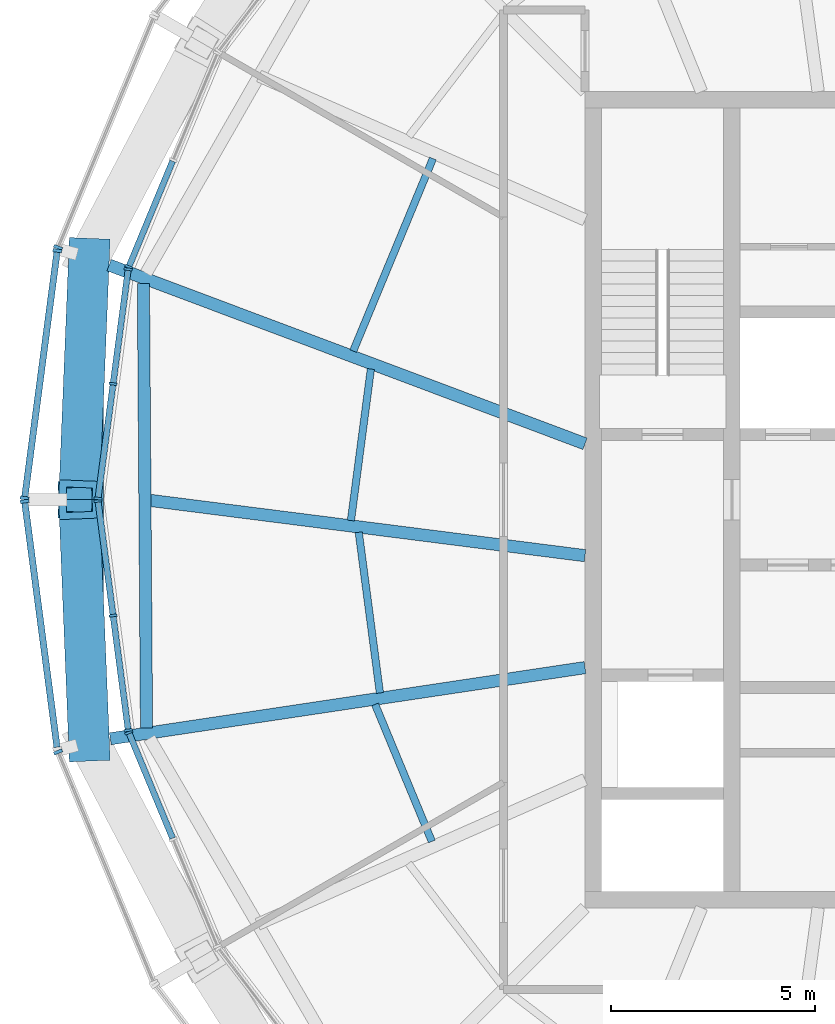
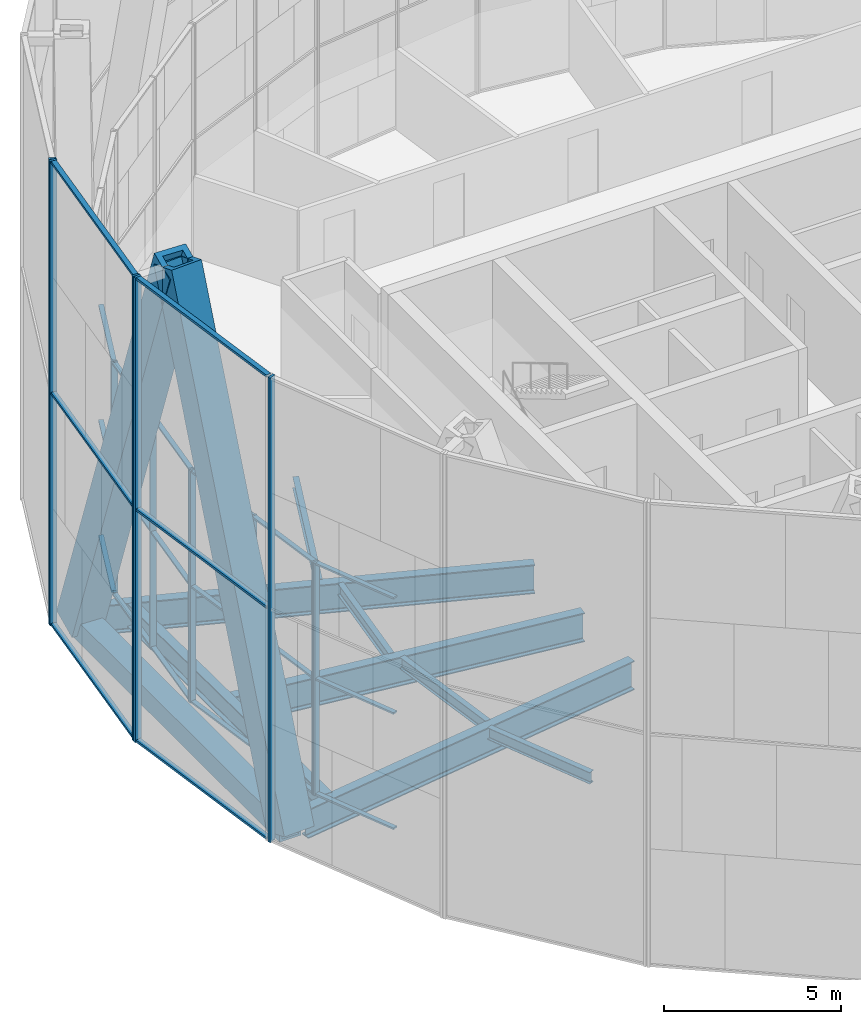
# One storey, part 3 of 22: 39 members, 9 beams, 8 elements without a shape of their own.
"""IFC4 building model written with IfcOpenShell, lengths in metres."""

from ifc_helpers import new_model, si_unit, direction, frame, origin, origin_2d, place, context, subcontext, project, spatial, rectangle, hollow_rectangle, i_section, extrude, material, material_profile, profile_set, type_object, element, aggregate, save


model = new_model("IFC4")

# Units and contexts
model_context = context("Model", 3, precision=1e-05, world=origin(), true_north=direction((0.0, 1.0)))
body_context = subcontext(model_context, "Body", "Model", "MODEL_VIEW")
ifc_project = project(units=[si_unit("LENGTHUNIT", "METRE"), si_unit("AREAUNIT", "SQUARE_METRE"), si_unit("VOLUMEUNIT", "CUBIC_METRE"), si_unit("PLANEANGLEUNIT", "RADIAN"), si_unit("MASSUNIT", "GRAM", prefix="KILO")], contexts=[model_context])

# Site, building, storey
site_placement = place(None, origin())
site = spatial("IfcSite", under=ifc_project, at=site_placement, CompositionType="ELEMENT")
building_placement = place(site_placement, origin())
building = spatial("IfcBuilding", under=site, at=building_placement, Name="Golbaran Civic Tower", CompositionType="ELEMENT")
storey_placement = place(building_placement, frame((0.0, 0.0, 264.0)))
storey = spatial("IfcBuildingStorey", under=building, at=storey_placement, Name="L64", CompositionType="ELEMENT", Elevation=264.0)

# Members
ifc_material_1 = material(Name="Steel S355", Category="steel")
ifc_material_profile_1 = material_profile(ifc_material_1, hollow_rectangle(XDim=1.0, YDim=1.0, WallThickness=0.179931640625, at=origin_2d()), Name="BOX 1000x1000x180")
ifc_profile_set_1 = profile_set([ifc_material_profile_1], Name="Steel S355")
member_type_1 = type_object("IfcMemberType", Name="DIAGRID DIAGONAL BOX 1000x1000x180", PredefinedType="BRACE", material=ifc_profile_set_1)
for number, where, z_axis, x_axis, name in (
    (1, (-22.156494140625, 5.936767578125, -0.7099609375), (-0.014261383079, -0.34783756503, 0.937446340495), (0.999160553133, -0.040965705945, 0.0), "Diagonal D15-05R L64-L68"),
    (2, (-22.156494140625, -5.936767578125, -0.7099609375), (-0.014261383079, 0.34783756503, 0.937446340495), (-0.999160553133, -0.040965705945, 0.0), "Diagonal D15-06L L64-L68"),
):
    element("IfcMember", number, at=place(storey_placement, frame(where, z_axis=z_axis, x_axis=x_axis)), inside=storey, type_object=member_type_1, Name=name, PredefinedType="BRACE", context=body_context, shape_type="SweptSolid", body=[
        extrude(hollow_rectangle(XDim=1.0, YDim=1.0, WallThickness=0.179931640625, at=origin_2d()), origin(), (0.0, 0.0, 1.0), 17.067626953125),
    ])

# Beams
ifc_material_profile_2 = material_profile(ifc_material_1, hollow_rectangle(XDim=0.699951171875, YDim=0.699951171875, WallThickness=0.080078125, at=origin_2d()), Name="BOX 700x700x80")
ifc_profile_set_2 = profile_set([ifc_material_profile_2], Name="Steel S355")
beam_type_1 = type_object("IfcBeamType", Name="DIAGRID RING TIE BOX 700x700x80", PredefinedType="BEAM", material=ifc_profile_set_2)
beam_1_placement = place(storey_placement, frame((-22.156494140625, 5.936767578125, -0.7099609375), z_axis=(0.0, -1.0, 0.0), x_axis=(1.0, 0.0, 0.0)))
element("IfcBeam", 3, at=beam_1_placement, inside=storey, type_object=beam_type_1, Name="Ring tie 165.00 L64", PredefinedType="BEAM", context=body_context, shape_type="SweptSolid", body=[
    extrude(hollow_rectangle(XDim=0.699951171875, YDim=0.699951171875, WallThickness=0.080078125, at=origin_2d()), origin(), (0.0, 0.0, 1.0), 11.87353515625),
])
ifc_material_profile_3 = material_profile(ifc_material_1, i_section(OverallWidth=0.300048828125, OverallDepth=0.800048828125, WebThickness=0.017578125, FlangeThickness=0.032958984375, FilletRadius=0.030029296875, at=origin_2d()), Name="HEB 800")
ifc_profile_set_3 = profile_set([ifc_material_profile_3], Name="Steel S355")
beam_type_2 = type_object("IfcBeamType", Name="EDGE BEAM HEB 800", PredefinedType="BEAM", material=ifc_profile_set_3)
beam_2_placement = place(storey_placement, frame((-20.822509765625, 5.296875, -0.60009765625), z_axis=(0.006971517906, -0.999975698674, 0.0), x_axis=(0.999975698674, 0.006971517906, 0.0)))
element("IfcBeam", 4, at=beam_2_placement, inside=storey, type_object=beam_type_2, Name="Edge beam 165.00 L64", PredefinedType="BEAM", context=body_context, shape_type="SweptSolid", body=[
    extrude(i_section(OverallWidth=0.300048828125, OverallDepth=0.800048828125, WebThickness=0.017578125, FlangeThickness=0.032958984375, FilletRadius=0.030029296875, at=origin_2d()), origin(), (0.0, 0.0, 1.0), 10.89111328125),
])
ifc_material_profile_4 = material_profile(ifc_material_1, i_section(OverallWidth=0.179931640625, OverallDepth=0.39990234375, WebThickness=0.008544921875, FlangeThickness=0.013427734375, FilletRadius=0.02099609375, at=origin_2d()), Name="IPE 400")
ifc_profile_set_4 = profile_set([ifc_material_profile_4], Name="Steel S355")
beam_type_3 = type_object("IfcBeamType", Name="FLOOR INFILL BEAM IPE 400", PredefinedType="BEAM", material=ifc_profile_set_4)
beam_3_placement = place(storey_placement, frame((-13.727294921875, 8.361328125, -0.39990234375), z_axis=(-0.382706513468, -0.923869971668, 0.0), x_axis=(0.923869971668, -0.382706513468, 0.0)))
element("IfcBeam", 5, at=beam_3_placement, inside=storey, type_object=beam_type_3, Name="Infill beam 157.50 L64", PredefinedType="BEAM", context=body_context, shape_type="SweptSolid", body=[
    extrude(i_section(OverallWidth=0.179931640625, OverallDepth=0.39990234375, WebThickness=0.008544921875, FlangeThickness=0.013427734375, FilletRadius=0.02099609375, at=origin_2d()), origin(), (0.0, 0.0, 1.0), 5.10595703125),
])
beam_4_placement = place(storey_placement, frame((-15.24755859375, 3.203369140625, -0.39990234375), z_axis=(-0.130528684121, -0.991444533306, 0.0), x_axis=(0.991444533306, -0.130528684121, 0.0)))
element("IfcBeam", 6, at=beam_4_placement, inside=storey, type_object=beam_type_3, Name="Infill beam 172.50 L64", PredefinedType="BEAM", context=body_context, shape_type="SweptSolid", body=[
    extrude(i_section(OverallWidth=0.179931640625, OverallDepth=0.39990234375, WebThickness=0.008544921875, FlangeThickness=0.013427734375, FilletRadius=0.02099609375, at=origin_2d()), origin(), (0.0, 0.0, 1.0), 3.746337890625),
])
beam_5_placement = place(storey_placement, frame((-15.544921875, -0.79736328125, -0.39990234375), z_axis=(0.13052127559, -0.991445508648, 0.0), x_axis=(0.991445508648, 0.13052127559, 0.0)))
element("IfcBeam", 7, at=beam_5_placement, inside=storey, type_object=beam_type_3, Name="Infill beam 187.50 L64", PredefinedType="BEAM", context=body_context, shape_type="SweptSolid", body=[
    extrude(i_section(OverallWidth=0.179931640625, OverallDepth=0.39990234375, WebThickness=0.008544921875, FlangeThickness=0.013427734375, FilletRadius=0.02099609375, at=origin_2d()), origin(), (0.0, 0.0, 1.0), 3.972900390625),
])
beam_6_placement = place(storey_placement, frame((-15.144287109375, -5.016845703125, -0.39990234375), z_axis=(0.38271166419, -0.923867838001, 0.0), x_axis=(0.923867838001, 0.38271166419, 0.0)))
element("IfcBeam", 8, at=beam_6_placement, inside=storey, type_object=beam_type_3, Name="Infill beam 202.50 L64", PredefinedType="BEAM", context=body_context, shape_type="SweptSolid", body=[
    extrude(i_section(OverallWidth=0.179931640625, OverallDepth=0.39990234375, WebThickness=0.008544921875, FlangeThickness=0.013427734375, FilletRadius=0.02099609375, at=origin_2d()), origin(), (0.0, 0.0, 1.0), 3.634765625),
])

# Curtain wall, member
ifc_material_2 = material(Name="Aluminium and glass", Category="aluminium")
curtain_wall_type_1 = type_object("IfcCurtainWallType", Name="INNER SKIN CURTAIN WALL EXECUTIVE", PredefinedType="NOTDEFINED", material=ifc_material_2)
curtain_wall_1_placement = place(storey_placement, origin())
curtain_wall_1 = element("IfcCurtainWall", 9, at=curtain_wall_1_placement, inside=storey, type_object=curtain_wall_type_1, Name="Inner skin L64 facet 11 CW2", ObjectType="INNER SKIN", PredefinedType="USERDEFINED")
ifc_material_3 = material(Name="Aluminium", Category="aluminium")
ifc_material_profile_5 = material_profile(ifc_material_3, rectangle(XDim=0.199951171875, YDim=0.06005859375, at=origin_2d()), Name="INNER SKIN CURTAIN WALL EXECUTIVE MULLION")
ifc_profile_set_5 = profile_set([ifc_material_profile_5], Name="Aluminium")
member_type_2 = type_object("IfcMemberType", Name="INNER SKIN CURTAIN WALL EXECUTIVE MULLION", PredefinedType="MULLION", material=ifc_profile_set_5)
member_1_placement = place(storey_placement, frame((-21.179931640625, 5.7060546875, 0.0), z_axis=(0.0, 0.0, 1.0), x_axis=(0.923879532518, -0.382683432349, 0.0)))
member_1 = element("IfcMember", 10, at=member_1_placement, type_object=member_type_2, Name="CW2 mullion 3", PredefinedType="MULLION", context=body_context, shape_type="SweptSolid", body=[
    extrude(rectangle(XDim=0.199951171875, YDim=0.06005859375, at=origin_2d()), origin(), (0.0, 0.0, 1.0), 8.0),
])

# Curtain wall, members
curtain_wall_2_placement = place(storey_placement, origin())
curtain_wall_2 = element("IfcCurtainWall", 11, at=curtain_wall_2_placement, inside=storey, type_object=curtain_wall_type_1, Name="Inner skin L64 facet 12 CW2", ObjectType="INNER SKIN", PredefinedType="USERDEFINED")
member_2_placement = place(storey_placement, frame((-21.1953125, 5.6484375, 0.0), z_axis=(0.0, 0.0, 1.0), x_axis=(0.991444861376, -0.130526192203, 0.0)))
member_2 = element("IfcMember", 12, at=member_2_placement, type_object=member_type_2, Name="CW2 mullion 1", PredefinedType="MULLION", context=body_context, shape_type="SweptSolid", body=[
    extrude(rectangle(XDim=0.199951171875, YDim=0.06005859375, at=origin_2d()), origin(), (0.0, 0.0, 1.0), 8.0),
])
member_3_placement = place(storey_placement, frame((-21.565185546875, 2.839111328125, 0.0), z_axis=(0.0, 0.0, 1.0), x_axis=(0.991444861376, -0.130526192203, 0.0)))
member_3 = element("IfcMember", 13, at=member_3_placement, type_object=member_type_2, Name="CW2 mullion 2", PredefinedType="MULLION", context=body_context, shape_type="SweptSolid", body=[
    extrude(rectangle(XDim=0.199951171875, YDim=0.06005859375, at=origin_2d()), origin(), (0.0, 0.0, 1.0), 8.0),
])
member_4_placement = place(storey_placement, frame((-21.93505859375, 0.02978515625, 0.0), z_axis=(0.0, 0.0, 1.0), x_axis=(0.991444861376, -0.130526192203, 0.0)))
member_4 = element("IfcMember", 14, at=member_4_placement, type_object=member_type_2, Name="CW2 mullion 3", PredefinedType="MULLION", context=body_context, shape_type="SweptSolid", body=[
    extrude(rectangle(XDim=0.199951171875, YDim=0.06005859375, at=origin_2d()), origin(), (0.0, 0.0, 1.0), 8.0),
])

curtain_wall_3_placement = place(storey_placement, origin())
curtain_wall_3 = element("IfcCurtainWall", 15, at=curtain_wall_3_placement, inside=storey, type_object=curtain_wall_type_1, Name="Inner skin L64 facet 13 CW2", ObjectType="INNER SKIN", PredefinedType="USERDEFINED")
member_5_placement = place(storey_placement, frame((-21.93505859375, -0.02978515625, 0.0), z_axis=(0.0, 0.0, 1.0), x_axis=(0.991444861376, 0.130526192203, 0.0)))
member_5 = element("IfcMember", 16, at=member_5_placement, type_object=member_type_2, Name="CW2 mullion 1", PredefinedType="MULLION", context=body_context, shape_type="SweptSolid", body=[
    extrude(rectangle(XDim=0.199951171875, YDim=0.06005859375, at=origin_2d()), origin(), (0.0, 0.0, 1.0), 8.0),
])
member_6_placement = place(storey_placement, frame((-21.565185546875, -2.839111328125, 0.0), z_axis=(0.0, 0.0, 1.0), x_axis=(0.991444861376, 0.130526192203, 0.0)))
member_6 = element("IfcMember", 17, at=member_6_placement, type_object=member_type_2, Name="CW2 mullion 2", PredefinedType="MULLION", context=body_context, shape_type="SweptSolid", body=[
    extrude(rectangle(XDim=0.199951171875, YDim=0.06005859375, at=origin_2d()), origin(), (0.0, 0.0, 1.0), 8.0),
])
member_7_placement = place(storey_placement, frame((-21.1953125, -5.6484375, 0.0), z_axis=(0.0, 0.0, 1.0), x_axis=(0.991444861376, 0.130526192203, 0.0)))
member_7 = element("IfcMember", 18, at=member_7_placement, type_object=member_type_2, Name="CW2 mullion 3", PredefinedType="MULLION", context=body_context, shape_type="SweptSolid", body=[
    extrude(rectangle(XDim=0.199951171875, YDim=0.06005859375, at=origin_2d()), origin(), (0.0, 0.0, 1.0), 8.0),
])

# Curtain wall, member
curtain_wall_4_placement = place(storey_placement, origin())
curtain_wall_4 = element("IfcCurtainWall", 19, at=curtain_wall_4_placement, inside=storey, type_object=curtain_wall_type_1, Name="Inner skin L64 facet 14 CW2", ObjectType="INNER SKIN", PredefinedType="USERDEFINED")
member_8_placement = place(storey_placement, frame((-21.179931640625, -5.7060546875, 0.0), z_axis=(0.0, 0.0, 1.0), x_axis=(0.923879532518, 0.382683432349, 0.0)))
member_8 = element("IfcMember", 20, at=member_8_placement, type_object=member_type_2, Name="CW2 mullion 1", PredefinedType="MULLION", context=body_context, shape_type="SweptSolid", body=[
    extrude(rectangle(XDim=0.199951171875, YDim=0.06005859375, at=origin_2d()), origin(), (0.0, 0.0, 1.0), 8.0),
])

# Member
ifc_material_profile_6 = material_profile(ifc_material_3, rectangle(XDim=0.14990234375, YDim=0.06005859375, at=origin_2d()), Name="INNER SKIN CURTAIN WALL EXECUTIVE TRANSOM")
ifc_profile_set_6 = profile_set([ifc_material_profile_6], Name="Aluminium")
member_type_3 = type_object("IfcMemberType", Name="INNER SKIN CURTAIN WALL EXECUTIVE TRANSOM", PredefinedType="USERDEFINED", material=ifc_profile_set_6)
member_9_placement = place(storey_placement, frame((-20.107177734375, 8.296142578125, 0.030029296875), z_axis=(-0.382639437748, -0.923897754451, 0.0), x_axis=(0.923897754451, -0.382639437748, 0.0)))
member_9 = element("IfcMember", 21, at=member_9_placement, type_object=member_type_3, Name="CW2 transom 2.1", ObjectType="TRANSOM", PredefinedType="USERDEFINED", context=body_context, shape_type="SweptSolid", body=[
    extrude(rectangle(XDim=0.14990234375, YDim=0.06005859375, at=origin_2d()), origin(), (0.0, 0.0, 1.0), 2.773681640625),
])

member_10_placement = place(storey_placement, frame((-20.107177734375, 8.296142578125, 4.0), z_axis=(-0.382639437748, -0.923897754451, 0.0), x_axis=(0.923897754451, -0.382639437748, 0.0)))
member_10 = element("IfcMember", 22, at=member_10_placement, type_object=member_type_3, Name="CW2 transom 2.2", ObjectType="TRANSOM", PredefinedType="USERDEFINED", context=body_context, shape_type="SweptSolid", body=[
    extrude(rectangle(XDim=0.14990234375, YDim=0.06005859375, at=origin_2d()), origin(), (0.0, 0.0, 1.0), 2.773681640625),
])

member_11_placement = place(storey_placement, frame((-20.107177734375, 8.296142578125, 7.969970703125), z_axis=(-0.382639437748, -0.923897754451, 0.0), x_axis=(0.923897754451, -0.382639437748, 0.0)))
member_11 = element("IfcMember", 23, at=member_11_placement, type_object=member_type_3, Name="CW2 transom 2.3", ObjectType="TRANSOM", PredefinedType="USERDEFINED", context=body_context, shape_type="SweptSolid", body=[
    extrude(rectangle(XDim=0.14990234375, YDim=0.06005859375, at=origin_2d()), origin(), (0.0, 0.0, 1.0), 2.773681640625),
])

aggregate(curtain_wall_1, [member_1, member_9, member_10, member_11])

member_12_placement = place(storey_placement, frame((-21.19921875, 5.61865234375, 0.030029296875), z_axis=(-0.130543317556, -0.99144260663, 0.0), x_axis=(0.99144260663, -0.130543317556, 0.0)))
member_12 = element("IfcMember", 24, at=member_12_placement, type_object=member_type_3, Name="CW2 transom 1.1", ObjectType="TRANSOM", PredefinedType="USERDEFINED", context=body_context, shape_type="SweptSolid", body=[
    extrude(rectangle(XDim=0.14990234375, YDim=0.06005859375, at=origin_2d()), origin(), (0.0, 0.0, 1.0), 2.7734375),
])

member_13_placement = place(storey_placement, frame((-21.19921875, 5.61865234375, 4.0), z_axis=(-0.130543317556, -0.99144260663, 0.0), x_axis=(0.99144260663, -0.130543317556, 0.0)))
member_13 = element("IfcMember", 25, at=member_13_placement, type_object=member_type_3, Name="CW2 transom 1.2", ObjectType="TRANSOM", PredefinedType="USERDEFINED", context=body_context, shape_type="SweptSolid", body=[
    extrude(rectangle(XDim=0.14990234375, YDim=0.06005859375, at=origin_2d()), origin(), (0.0, 0.0, 1.0), 2.7734375),
])

member_14_placement = place(storey_placement, frame((-21.19921875, 5.61865234375, 7.969970703125), z_axis=(-0.130543317556, -0.99144260663, 0.0), x_axis=(0.99144260663, -0.130543317556, 0.0)))
member_14 = element("IfcMember", 26, at=member_14_placement, type_object=member_type_3, Name="CW2 transom 1.3", ObjectType="TRANSOM", PredefinedType="USERDEFINED", context=body_context, shape_type="SweptSolid", body=[
    extrude(rectangle(XDim=0.14990234375, YDim=0.06005859375, at=origin_2d()), origin(), (0.0, 0.0, 1.0), 2.7734375),
])

member_15_placement = place(storey_placement, frame((-21.569091796875, 2.809326171875, 0.030029296875), z_axis=(-0.130543317556, -0.99144260663, 0.0), x_axis=(0.99144260663, -0.130543317556, 0.0)))
member_15 = element("IfcMember", 27, at=member_15_placement, type_object=member_type_3, Name="CW2 transom 2.1", ObjectType="TRANSOM", PredefinedType="USERDEFINED", context=body_context, shape_type="SweptSolid", body=[
    extrude(rectangle(XDim=0.14990234375, YDim=0.06005859375, at=origin_2d()), origin(), (0.0, 0.0, 1.0), 2.7734375),
])

member_16_placement = place(storey_placement, frame((-21.569091796875, 2.809326171875, 4.0), z_axis=(-0.130543317556, -0.99144260663, 0.0), x_axis=(0.99144260663, -0.130543317556, 0.0)))
member_16 = element("IfcMember", 28, at=member_16_placement, type_object=member_type_3, Name="CW2 transom 2.2", ObjectType="TRANSOM", PredefinedType="USERDEFINED", context=body_context, shape_type="SweptSolid", body=[
    extrude(rectangle(XDim=0.14990234375, YDim=0.06005859375, at=origin_2d()), origin(), (0.0, 0.0, 1.0), 2.7734375),
])

member_17_placement = place(storey_placement, frame((-21.569091796875, 2.809326171875, 7.969970703125), z_axis=(-0.130543317556, -0.99144260663, 0.0), x_axis=(0.99144260663, -0.130543317556, 0.0)))
member_17 = element("IfcMember", 29, at=member_17_placement, type_object=member_type_3, Name="CW2 transom 2.3", ObjectType="TRANSOM", PredefinedType="USERDEFINED", context=body_context, shape_type="SweptSolid", body=[
    extrude(rectangle(XDim=0.14990234375, YDim=0.06005859375, at=origin_2d()), origin(), (0.0, 0.0, 1.0), 2.7734375),
])

aggregate(curtain_wall_2, [member_2, member_3, member_4, member_12, member_13, member_14, member_15, member_16, member_17])

member_18_placement = place(storey_placement, frame((-21.93115234375, -0.0595703125, 0.030029296875), z_axis=(0.130543317556, -0.99144260663, 0.0), x_axis=(0.99144260663, 0.130543317556, 0.0)))
member_18 = element("IfcMember", 30, at=member_18_placement, type_object=member_type_3, Name="CW2 transom 1.1", ObjectType="TRANSOM", PredefinedType="USERDEFINED", context=body_context, shape_type="SweptSolid", body=[
    extrude(rectangle(XDim=0.14990234375, YDim=0.06005859375, at=origin_2d()), origin(), (0.0, 0.0, 1.0), 2.7734375),
])

member_19_placement = place(storey_placement, frame((-21.93115234375, -0.0595703125, 4.0), z_axis=(0.130543317556, -0.99144260663, 0.0), x_axis=(0.99144260663, 0.130543317556, 0.0)))
member_19 = element("IfcMember", 31, at=member_19_placement, type_object=member_type_3, Name="CW2 transom 1.2", ObjectType="TRANSOM", PredefinedType="USERDEFINED", context=body_context, shape_type="SweptSolid", body=[
    extrude(rectangle(XDim=0.14990234375, YDim=0.06005859375, at=origin_2d()), origin(), (0.0, 0.0, 1.0), 2.7734375),
])

member_20_placement = place(storey_placement, frame((-21.93115234375, -0.0595703125, 7.969970703125), z_axis=(0.130543317556, -0.99144260663, 0.0), x_axis=(0.99144260663, 0.130543317556, 0.0)))
member_20 = element("IfcMember", 32, at=member_20_placement, type_object=member_type_3, Name="CW2 transom 1.3", ObjectType="TRANSOM", PredefinedType="USERDEFINED", context=body_context, shape_type="SweptSolid", body=[
    extrude(rectangle(XDim=0.14990234375, YDim=0.06005859375, at=origin_2d()), origin(), (0.0, 0.0, 1.0), 2.7734375),
])

member_21_placement = place(storey_placement, frame((-21.561279296875, -2.868896484375, 0.030029296875), z_axis=(0.130543317556, -0.99144260663, 0.0), x_axis=(0.99144260663, 0.130543317556, 0.0)))
member_21 = element("IfcMember", 33, at=member_21_placement, type_object=member_type_3, Name="CW2 transom 2.1", ObjectType="TRANSOM", PredefinedType="USERDEFINED", context=body_context, shape_type="SweptSolid", body=[
    extrude(rectangle(XDim=0.14990234375, YDim=0.06005859375, at=origin_2d()), origin(), (0.0, 0.0, 1.0), 2.7734375),
])

member_22_placement = place(storey_placement, frame((-21.561279296875, -2.868896484375, 4.0), z_axis=(0.130543317556, -0.99144260663, 0.0), x_axis=(0.99144260663, 0.130543317556, 0.0)))
member_22 = element("IfcMember", 34, at=member_22_placement, type_object=member_type_3, Name="CW2 transom 2.2", ObjectType="TRANSOM", PredefinedType="USERDEFINED", context=body_context, shape_type="SweptSolid", body=[
    extrude(rectangle(XDim=0.14990234375, YDim=0.06005859375, at=origin_2d()), origin(), (0.0, 0.0, 1.0), 2.7734375),
])

member_23_placement = place(storey_placement, frame((-21.561279296875, -2.868896484375, 7.969970703125), z_axis=(0.130543317556, -0.99144260663, 0.0), x_axis=(0.99144260663, 0.130543317556, 0.0)))
member_23 = element("IfcMember", 35, at=member_23_placement, type_object=member_type_3, Name="CW2 transom 2.3", ObjectType="TRANSOM", PredefinedType="USERDEFINED", context=body_context, shape_type="SweptSolid", body=[
    extrude(rectangle(XDim=0.14990234375, YDim=0.06005859375, at=origin_2d()), origin(), (0.0, 0.0, 1.0), 2.7734375),
])

aggregate(curtain_wall_3, [member_5, member_6, member_7, member_18, member_19, member_20, member_21, member_22, member_23])

member_24_placement = place(storey_placement, frame((-21.16845703125, -5.733642578125, 0.030029296875), z_axis=(0.382639437748, -0.923897754451, 0.0), x_axis=(0.923897754451, 0.382639437748, 0.0)))
member_24 = element("IfcMember", 36, at=member_24_placement, type_object=member_type_3, Name="CW2 transom 1.1", ObjectType="TRANSOM", PredefinedType="USERDEFINED", context=body_context, shape_type="SweptSolid", body=[
    extrude(rectangle(XDim=0.14990234375, YDim=0.06005859375, at=origin_2d()), origin(), (0.0, 0.0, 1.0), 2.773681640625),
])

member_25_placement = place(storey_placement, frame((-21.16845703125, -5.733642578125, 4.0), z_axis=(0.382639437748, -0.923897754451, 0.0), x_axis=(0.923897754451, 0.382639437748, 0.0)))
member_25 = element("IfcMember", 37, at=member_25_placement, type_object=member_type_3, Name="CW2 transom 1.2", ObjectType="TRANSOM", PredefinedType="USERDEFINED", context=body_context, shape_type="SweptSolid", body=[
    extrude(rectangle(XDim=0.14990234375, YDim=0.06005859375, at=origin_2d()), origin(), (0.0, 0.0, 1.0), 2.773681640625),
])

member_26_placement = place(storey_placement, frame((-21.16845703125, -5.733642578125, 7.969970703125), z_axis=(0.382639437748, -0.923897754451, 0.0), x_axis=(0.923897754451, 0.382639437748, 0.0)))
member_26 = element("IfcMember", 38, at=member_26_placement, type_object=member_type_3, Name="CW2 transom 1.3", ObjectType="TRANSOM", PredefinedType="USERDEFINED", context=body_context, shape_type="SweptSolid", body=[
    extrude(rectangle(XDim=0.14990234375, YDim=0.06005859375, at=origin_2d()), origin(), (0.0, 0.0, 1.0), 2.773681640625),
])

aggregate(curtain_wall_4, [member_8, member_24, member_25, member_26])

# Curtain wall, member
curtain_wall_type_2 = type_object("IfcCurtainWallType", Name="OUTER SKIN TERRACOTTA SCREEN", PredefinedType="NOTDEFINED", material=ifc_material_2)
curtain_wall_5_placement = place(storey_placement, origin())
curtain_wall_5 = element("IfcCurtainWall", 39, at=curtain_wall_5_placement, inside=storey, type_object=curtain_wall_type_2, Name="Outer skin L64 facet 11 CW3", ObjectType="OUTER SKIN", PredefinedType="USERDEFINED")
ifc_material_profile_7 = material_profile(ifc_material_3, rectangle(XDim=0.219970703125, YDim=0.080078125, at=origin_2d()), Name="OUTER SKIN TERRACOTTA SCREEN MULLION")
ifc_profile_set_7 = profile_set([ifc_material_profile_7], Name="Aluminium")
member_type_4 = type_object("IfcMemberType", Name="OUTER SKIN TERRACOTTA SCREEN MULLION", PredefinedType="MULLION", material=ifc_profile_set_7)
member_27_placement = place(storey_placement, frame((-22.913818359375, 6.180908203125, -0.7099609375), z_axis=(0.0, 0.0, 1.0), x_axis=(0.923879532525, -0.382683432333, 0.0)))
member_27 = element("IfcMember", 40, at=member_27_placement, type_object=member_type_4, Name="CW3 mullion 2", PredefinedType="MULLION", context=body_context, shape_type="SweptSolid", body=[
    extrude(rectangle(XDim=0.219970703125, YDim=0.080078125, at=origin_2d()), origin(), (0.0, 0.0, 1.0), 16.0),
])
aggregate(curtain_wall_5, [member_27])

# Curtain wall, members
curtain_wall_6_placement = place(storey_placement, origin())
curtain_wall_6 = element("IfcCurtainWall", 41, at=curtain_wall_6_placement, inside=storey, type_object=curtain_wall_type_2, Name="Outer skin L64 facet 12 CW3", ObjectType="OUTER SKIN", PredefinedType="USERDEFINED")
member_28_placement = place(storey_placement, frame((-22.934326171875, 6.104248046875, -0.7099609375), z_axis=(0.0, 0.0, 1.0), x_axis=(0.991444861365, -0.130526192289, 0.0)))
member_28 = element("IfcMember", 42, at=member_28_placement, type_object=member_type_4, Name="CW3 mullion 1", PredefinedType="MULLION", context=body_context, shape_type="SweptSolid", body=[
    extrude(rectangle(XDim=0.219970703125, YDim=0.080078125, at=origin_2d()), origin(), (0.0, 0.0, 1.0), 16.0),
])
member_29_placement = place(storey_placement, frame((-23.732666015625, 0.03955078125, -0.7099609375), z_axis=(0.0, 0.0, 1.0), x_axis=(0.991444861365, -0.130526192289, 0.0)))
member_29 = element("IfcMember", 43, at=member_29_placement, type_object=member_type_4, Name="CW3 mullion 2", PredefinedType="MULLION", context=body_context, shape_type="SweptSolid", body=[
    extrude(rectangle(XDim=0.219970703125, YDim=0.080078125, at=origin_2d()), origin(), (0.0, 0.0, 1.0), 16.0),
])

# Curtain wall, member
curtain_wall_7_placement = place(storey_placement, origin())
curtain_wall_7 = element("IfcCurtainWall", 44, at=curtain_wall_7_placement, inside=storey, type_object=curtain_wall_type_2, Name="Outer skin L64 facet 13 CW3", ObjectType="OUTER SKIN", PredefinedType="USERDEFINED")
member_30_placement = place(storey_placement, frame((-23.732666015625, -0.03955078125, -0.7099609375), z_axis=(0.0, 0.0, 1.0), x_axis=(0.991444861365, 0.130526192289, 0.0)))
member_30 = element("IfcMember", 45, at=member_30_placement, type_object=member_type_4, Name="CW3 mullion 1", PredefinedType="MULLION", context=body_context, shape_type="SweptSolid", body=[
    extrude(rectangle(XDim=0.219970703125, YDim=0.080078125, at=origin_2d()), origin(), (0.0, 0.0, 1.0), 16.0),
])

curtain_wall_8_placement = place(storey_placement, origin())
curtain_wall_8 = element("IfcCurtainWall", 46, at=curtain_wall_8_placement, inside=storey, type_object=curtain_wall_type_2, Name="Outer skin L64 facet 14 CW3", ObjectType="OUTER SKIN", PredefinedType="USERDEFINED")
member_31_placement = place(storey_placement, frame((-22.913818359375, -6.180908203125, -0.7099609375), z_axis=(0.0, 0.0, 1.0), x_axis=(0.923879532525, 0.382683432333, 0.0)))
member_31 = element("IfcMember", 47, at=member_31_placement, type_object=member_type_4, Name="CW3 mullion 1", PredefinedType="MULLION", context=body_context, shape_type="SweptSolid", body=[
    extrude(rectangle(XDim=0.219970703125, YDim=0.080078125, at=origin_2d()), origin(), (0.0, 0.0, 1.0), 16.0),
])
aggregate(curtain_wall_8, [member_31])

# Member
ifc_material_profile_8 = material_profile(ifc_material_3, rectangle(XDim=0.159912109375, YDim=0.080078125, at=origin_2d()), Name="OUTER SKIN TERRACOTTA SCREEN TRANSOM")
ifc_profile_set_8 = profile_set([ifc_material_profile_8], Name="Aluminium")
member_type_5 = type_object("IfcMemberType", Name="OUTER SKIN TERRACOTTA SCREEN TRANSOM", PredefinedType="USERDEFINED", material=ifc_profile_set_8)
member_32_placement = place(storey_placement, frame((-22.939697265625, 6.064453125, -0.669921875), z_axis=(-0.130507866716, -0.9914472738, 0.0), x_axis=(0.9914472738, -0.130507866716, 0.0)))
member_32 = element("IfcMember", 48, at=member_32_placement, type_object=member_type_5, Name="CW3 transom 1.1", ObjectType="TRANSOM", PredefinedType="USERDEFINED", context=body_context, shape_type="SweptSolid", body=[
    extrude(rectangle(XDim=0.159912109375, YDim=0.080078125, at=origin_2d()), origin(), (0.0, 0.0, 1.0), 6.03662109375),
])

member_33_placement = place(storey_placement, frame((-22.939697265625, 6.064453125, 7.2900390625), z_axis=(-0.130507866716, -0.9914472738, 0.0), x_axis=(0.9914472738, -0.130507866716, 0.0)))
member_33 = element("IfcMember", 49, at=member_33_placement, type_object=member_type_5, Name="CW3 transom 1.2", ObjectType="TRANSOM", PredefinedType="USERDEFINED", context=body_context, shape_type="SweptSolid", body=[
    extrude(rectangle(XDim=0.159912109375, YDim=0.080078125, at=origin_2d()), origin(), (0.0, 0.0, 1.0), 6.03662109375),
])

member_34_placement = place(storey_placement, frame((-22.939697265625, 6.064453125, 15.25), z_axis=(-0.130507866716, -0.9914472738, 0.0), x_axis=(0.9914472738, -0.130507866716, 0.0)))
member_34 = element("IfcMember", 50, at=member_34_placement, type_object=member_type_5, Name="CW3 transom 1.3", ObjectType="TRANSOM", PredefinedType="USERDEFINED", context=body_context, shape_type="SweptSolid", body=[
    extrude(rectangle(XDim=0.159912109375, YDim=0.080078125, at=origin_2d()), origin(), (0.0, 0.0, 1.0), 6.03662109375),
])

aggregate(curtain_wall_6, [member_28, member_29, member_32, member_33, member_34])

member_35_placement = place(storey_placement, frame((-23.7275390625, -0.079345703125, -0.669921875), z_axis=(0.130507866716, -0.9914472738, 0.0), x_axis=(0.9914472738, 0.130507866716, 0.0)))
member_35 = element("IfcMember", 51, at=member_35_placement, type_object=member_type_5, Name="CW3 transom 1.1", ObjectType="TRANSOM", PredefinedType="USERDEFINED", context=body_context, shape_type="SweptSolid", body=[
    extrude(rectangle(XDim=0.159912109375, YDim=0.080078125, at=origin_2d()), origin(), (0.0, 0.0, 1.0), 6.03662109375),
])

member_36_placement = place(storey_placement, frame((-23.7275390625, -0.079345703125, 7.2900390625), z_axis=(0.130507866716, -0.9914472738, 0.0), x_axis=(0.9914472738, 0.130507866716, 0.0)))
member_36 = element("IfcMember", 52, at=member_36_placement, type_object=member_type_5, Name="CW3 transom 1.2", ObjectType="TRANSOM", PredefinedType="USERDEFINED", context=body_context, shape_type="SweptSolid", body=[
    extrude(rectangle(XDim=0.159912109375, YDim=0.080078125, at=origin_2d()), origin(), (0.0, 0.0, 1.0), 6.03662109375),
])

member_37_placement = place(storey_placement, frame((-23.7275390625, -0.079345703125, 15.25), z_axis=(0.130507866716, -0.9914472738, 0.0), x_axis=(0.9914472738, 0.130507866716, 0.0)))
member_37 = element("IfcMember", 53, at=member_37_placement, type_object=member_type_5, Name="CW3 transom 1.3", ObjectType="TRANSOM", PredefinedType="USERDEFINED", context=body_context, shape_type="SweptSolid", body=[
    extrude(rectangle(XDim=0.159912109375, YDim=0.080078125, at=origin_2d()), origin(), (0.0, 0.0, 1.0), 6.03662109375),
])

aggregate(curtain_wall_7, [member_30, member_35, member_36, member_37])

# Beams
ifc_material_profile_9 = material_profile(ifc_material_1, i_section(OverallWidth=0.300048828125, OverallDepth=1.0, WebThickness=0.01904296875, FlangeThickness=0.035888671875, FilletRadius=0.030029296875, at=origin_2d()), Name="HEB 1000")
ifc_profile_set_9 = profile_set([ifc_material_profile_9], Name="Steel S355")
beam_type_4 = type_object("IfcBeamType", Name="RADIAL FLOOR BEAM HEB 1000", PredefinedType="BEAM", material=ifc_profile_set_9)
beam_7_placement = place(storey_placement, frame((-10.0, 1.371337890625, -0.7099609375), z_axis=(-0.936156731524, 0.351582954682, 0.0), x_axis=(-0.351582954682, -0.936156731524, 0.0)))
element("IfcBeam", 54, at=beam_7_placement, inside=storey, type_object=beam_type_4, Name="Radial beam 165.00 L64", PredefinedType="BEAM", context=body_context, shape_type="SweptSolid", body=[
    extrude(i_section(OverallWidth=0.300048828125, OverallDepth=1.0, WebThickness=0.01904296875, FlangeThickness=0.035888671875, FilletRadius=0.030029296875, at=origin_2d()), origin(), (0.0, 0.0, 1.0), 12.458984375),
])
beam_8_placement = place(storey_placement, frame((-10.0, -4.1142578125, -0.7099609375), z_axis=(-0.988946550333, -0.148272453894, 0.0), x_axis=(0.148272453894, -0.988946550333, 0.0)))
element("IfcBeam", 55, at=beam_8_placement, inside=storey, type_object=beam_type_4, Name="Radial beam 195.00 L64", PredefinedType="BEAM", context=body_context, shape_type="SweptSolid", body=[
    extrude(i_section(OverallWidth=0.300048828125, OverallDepth=1.0, WebThickness=0.01904296875, FlangeThickness=0.035888671875, FilletRadius=0.030029296875, at=origin_2d()), origin(), (0.0, 0.0, 1.0), 11.76318359375),
])
ifc_material_profile_10 = material_profile(ifc_material_1, i_section(OverallWidth=0.300048828125, OverallDepth=1.0, WebThickness=0.01904296875, FlangeThickness=0.035888671875, FilletRadius=0.030029296875, at=origin_2d()), Name="HEB 1000")
ifc_profile_set_10 = profile_set([ifc_material_profile_10], Name="Steel S355")
beam_type_5 = type_object("IfcBeamType", Name="SECONDARY FLOOR BEAM HEB 1000", PredefinedType="BEAM", material=ifc_profile_set_10)
beam_9_placement = place(storey_placement, frame((-10.0, -1.371337890625, -0.7099609375), z_axis=(-0.992013806385, 0.12612933022, 0.0), x_axis=(-0.12612933022, -0.992013806385, 0.0)))
element("IfcBeam", 56, at=beam_9_placement, inside=storey, type_object=beam_type_5, Name="Secondary beam 180.00 L64", PredefinedType="BEAM", context=body_context, shape_type="SweptSolid", body=[
    extrude(i_section(OverallWidth=0.300048828125, OverallDepth=1.0, WebThickness=0.01904296875, FlangeThickness=0.035888671875, FilletRadius=0.030029296875, at=origin_2d()), origin(), (0.0, 0.0, 1.0), 10.87255859375),
])

save(model, "model.ifc")
